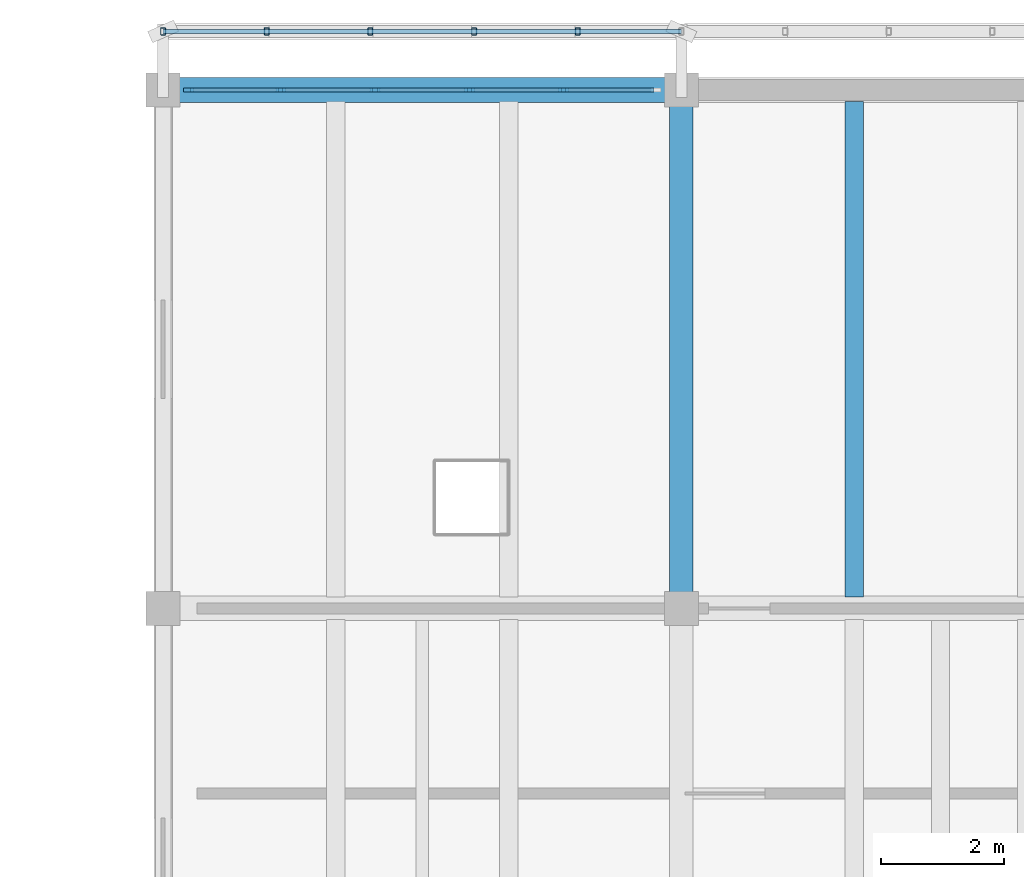
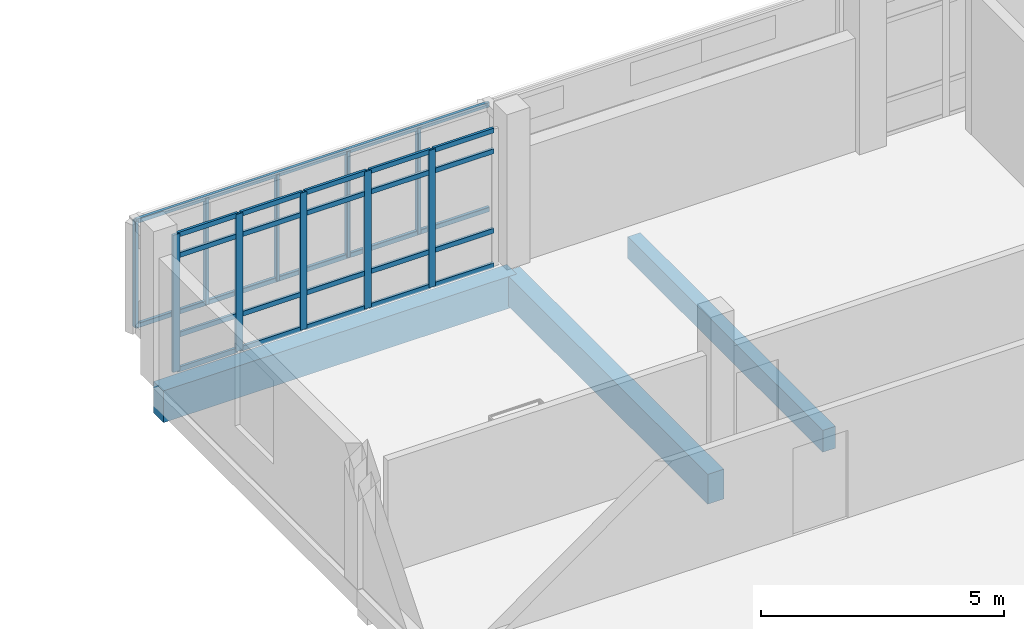
# One storey, part 46 of 117: 32 members, 3 beams, 1 element without a shape of its own.
"""IFC4 building model written with IfcOpenShell, lengths in metres."""

from ifc_helpers import new_model, si_unit, direction, frame, origin, origin_2d, place, context, subcontext, project, spatial, rectangle, hollow_rectangle, extrude, material, material_profile, profile_set, type_object, element, aggregate, save


model = new_model("IFC4")

# Units and contexts
model_context = context("Model", 3, precision=1e-05, world=origin(), true_north=direction((0.0, 1.0)))
body_context = subcontext(model_context, "Body", "Model", "MODEL_VIEW")
ifc_project = project(units=[si_unit("LENGTHUNIT", "METRE"), si_unit("AREAUNIT", "SQUARE_METRE"), si_unit("VOLUMEUNIT", "CUBIC_METRE"), si_unit("PLANEANGLEUNIT", "RADIAN"), si_unit("MASSUNIT", "GRAM", prefix="KILO")], contexts=[model_context])

# Site, building, storey
site_placement = place(None, origin())
site = spatial("IfcSite", under=ifc_project, at=site_placement, CompositionType="ELEMENT")
building_placement = place(site_placement, origin())
building = spatial("IfcBuilding", under=site, at=building_placement, Name="Cinderway Yard Community Centre", CompositionType="ELEMENT")
storey_placement = place(building_placement, frame((0.0, 0.0, 9.0)))
storey = spatial("IfcBuildingStorey", under=building, at=storey_placement, Name="L02", CompositionType="ELEMENT", Elevation=9.0)

# Curtain wall, members
ifc_material_1 = material(Name="Aluminium 6063-T6", Category="aluminium")
curtain_wall_type = type_object("IfcCurtainWallType", Name="ENV-CW-TYPE-29", PredefinedType="USERDEFINED", material=ifc_material_1)
curtain_wall_placement = place(storey_placement, origin())
curtain_wall = element("IfcCurtainWall", 1, at=curtain_wall_placement, inside=storey, type_object=curtain_wall_type, Name="V4 Street Curtain Wall ENV-CW-L02-ST-0142", ObjectType="GLAZED CURTAIN WALL", PredefinedType="USERDEFINED")
ifc_material_profile_1 = material_profile(ifc_material_1, rectangle(XDim=0.06005859375, YDim=0.159912109375, at=origin_2d()), Name="Aluminium 6063-T6")
ifc_profile_set_1 = profile_set([ifc_material_profile_1], Name="Aluminium 6063-T6")
member_type_1 = type_object("IfcMemberType", Name="ENV-CW-MULL-150", PredefinedType="MULLION", material=ifc_profile_set_1)
member_1_placement = place(storey_placement, frame((42.010009765625, 115.199951171875, 0.0), z_axis=(0.0, 0.0, 1.0), x_axis=(0.0, 1.0, 0.0)))
member_1 = element("IfcMember", 2, at=member_1_placement, type_object=member_type_1, Name="CW-29 mullion 1", PredefinedType="MULLION", context=body_context, shape_type="SweptSolid", body=[
    extrude(rectangle(XDim=0.06005859375, YDim=0.159912109375, at=origin_2d()), origin(), (0.0, 0.0, 1.0), 3.449951171875),
])
member_2_placement = place(storey_placement, frame((43.508056640625, 115.199951171875, 0.0), z_axis=(0.0, 0.0, 1.0), x_axis=(0.0, 1.0, 0.0)))
member_2 = element("IfcMember", 3, at=member_2_placement, type_object=member_type_1, Name="CW-29 mullion 2", PredefinedType="MULLION", context=body_context, shape_type="SweptSolid", body=[
    extrude(rectangle(XDim=0.06005859375, YDim=0.159912109375, at=origin_2d()), origin(), (0.0, 0.0, 1.0), 3.449951171875),
])
member_3_placement = place(storey_placement, frame((45.035888671875, 115.199951171875, 0.0), z_axis=(0.0, 0.0, 1.0), x_axis=(0.0, 1.0, 0.0)))
member_3 = element("IfcMember", 4, at=member_3_placement, type_object=member_type_1, Name="CW-29 mullion 3", PredefinedType="MULLION", context=body_context, shape_type="SweptSolid", body=[
    extrude(rectangle(XDim=0.06005859375, YDim=0.159912109375, at=origin_2d()), origin(), (0.0, 0.0, 1.0), 3.449951171875),
])
member_4_placement = place(storey_placement, frame((46.56396484375, 115.199951171875, 0.0), z_axis=(0.0, 0.0, 1.0), x_axis=(0.0, 1.0, 0.0)))
member_4 = element("IfcMember", 5, at=member_4_placement, type_object=member_type_1, Name="CW-29 mullion 4", PredefinedType="MULLION", context=body_context, shape_type="SweptSolid", body=[
    extrude(rectangle(XDim=0.06005859375, YDim=0.159912109375, at=origin_2d()), origin(), (0.0, 0.0, 1.0), 3.449951171875),
])
member_5_placement = place(storey_placement, frame((48.092041015625, 115.199951171875, 0.0), z_axis=(0.0, 0.0, 1.0), x_axis=(0.0, 1.0, 0.0)))
member_5 = element("IfcMember", 6, at=member_5_placement, type_object=member_type_1, Name="CW-29 mullion 5", PredefinedType="MULLION", context=body_context, shape_type="SweptSolid", body=[
    extrude(rectangle(XDim=0.06005859375, YDim=0.159912109375, at=origin_2d()), origin(), (0.0, 0.0, 1.0), 3.449951171875),
])
ifc_material_profile_2 = material_profile(ifc_material_1, rectangle(XDim=0.06005859375, YDim=0.1201171875, at=origin_2d()), Name="Aluminium 6063-T6")
ifc_profile_set_2 = profile_set([ifc_material_profile_2], Name="Aluminium 6063-T6")
member_type_2 = type_object("IfcMemberType", Name="ENV-CW-TRAN-110", PredefinedType="USERDEFINED", material=ifc_profile_set_2)
member_6_placement = place(storey_placement, frame((42.0400390625, 115.199951171875, 0.030029296875), z_axis=(1.0, 0.0, 0.0), x_axis=(0.0, 1.0, 0.0)))
member_6 = element("IfcMember", 7, at=member_6_placement, type_object=member_type_2, Name="CW-29 transom 1.1", ObjectType="TRANSOM", PredefinedType="USERDEFINED", context=body_context, shape_type="SweptSolid", body=[
    extrude(rectangle(XDim=0.06005859375, YDim=0.1201171875, at=origin_2d()), origin(), (0.0, 0.0, 1.0), 1.43798828125),
])
member_7_placement = place(storey_placement, frame((42.0400390625, 115.199951171875, 0.89990234375), z_axis=(1.0, 0.0, 0.0), x_axis=(0.0, 1.0, 0.0)))
member_7 = element("IfcMember", 8, at=member_7_placement, type_object=member_type_2, Name="CW-29 transom 1.2", ObjectType="TRANSOM", PredefinedType="USERDEFINED", context=body_context, shape_type="SweptSolid", body=[
    extrude(rectangle(XDim=0.06005859375, YDim=0.1201171875, at=origin_2d()), origin(), (0.0, 0.0, 1.0), 1.43798828125),
])
member_8_placement = place(storey_placement, frame((42.0400390625, 115.199951171875, 2.89990234375), z_axis=(1.0, 0.0, 0.0), x_axis=(0.0, 1.0, 0.0)))
member_8 = element("IfcMember", 9, at=member_8_placement, type_object=member_type_2, Name="CW-29 transom 1.3", ObjectType="TRANSOM", PredefinedType="USERDEFINED", context=body_context, shape_type="SweptSolid", body=[
    extrude(rectangle(XDim=0.06005859375, YDim=0.1201171875, at=origin_2d()), origin(), (0.0, 0.0, 1.0), 1.43798828125),
])
member_9_placement = place(storey_placement, frame((42.0400390625, 115.199951171875, 3.419921875), z_axis=(1.0, 0.0, 0.0), x_axis=(0.0, 1.0, 0.0)))
member_9 = element("IfcMember", 10, at=member_9_placement, type_object=member_type_2, Name="CW-29 transom 1.4", ObjectType="TRANSOM", PredefinedType="USERDEFINED", context=body_context, shape_type="SweptSolid", body=[
    extrude(rectangle(XDim=0.06005859375, YDim=0.1201171875, at=origin_2d()), origin(), (0.0, 0.0, 1.0), 1.43798828125),
])
member_10_placement = place(storey_placement, frame((43.5380859375, 115.199951171875, 0.030029296875), z_axis=(1.0, 0.0, 0.0), x_axis=(0.0, 1.0, 0.0)))
member_10 = element("IfcMember", 11, at=member_10_placement, type_object=member_type_2, Name="CW-29 transom 2.1", ObjectType="TRANSOM", PredefinedType="USERDEFINED", context=body_context, shape_type="SweptSolid", body=[
    extrude(rectangle(XDim=0.06005859375, YDim=0.1201171875, at=origin_2d()), origin(), (0.0, 0.0, 1.0), 1.468017578125),
])
member_11_placement = place(storey_placement, frame((43.5380859375, 115.199951171875, 0.89990234375), z_axis=(1.0, 0.0, 0.0), x_axis=(0.0, 1.0, 0.0)))
member_11 = element("IfcMember", 12, at=member_11_placement, type_object=member_type_2, Name="CW-29 transom 2.2", ObjectType="TRANSOM", PredefinedType="USERDEFINED", context=body_context, shape_type="SweptSolid", body=[
    extrude(rectangle(XDim=0.06005859375, YDim=0.1201171875, at=origin_2d()), origin(), (0.0, 0.0, 1.0), 1.468017578125),
])
member_12_placement = place(storey_placement, frame((43.5380859375, 115.199951171875, 2.89990234375), z_axis=(1.0, 0.0, 0.0), x_axis=(0.0, 1.0, 0.0)))
member_12 = element("IfcMember", 13, at=member_12_placement, type_object=member_type_2, Name="CW-29 transom 2.3", ObjectType="TRANSOM", PredefinedType="USERDEFINED", context=body_context, shape_type="SweptSolid", body=[
    extrude(rectangle(XDim=0.06005859375, YDim=0.1201171875, at=origin_2d()), origin(), (0.0, 0.0, 1.0), 1.468017578125),
])
member_13_placement = place(storey_placement, frame((43.5380859375, 115.199951171875, 3.419921875), z_axis=(1.0, 0.0, 0.0), x_axis=(0.0, 1.0, 0.0)))
member_13 = element("IfcMember", 14, at=member_13_placement, type_object=member_type_2, Name="CW-29 transom 2.4", ObjectType="TRANSOM", PredefinedType="USERDEFINED", context=body_context, shape_type="SweptSolid", body=[
    extrude(rectangle(XDim=0.06005859375, YDim=0.1201171875, at=origin_2d()), origin(), (0.0, 0.0, 1.0), 1.468017578125),
])
member_14_placement = place(storey_placement, frame((45.06591796875, 115.199951171875, 0.030029296875), z_axis=(1.0, 0.0, 0.0), x_axis=(0.0, 1.0, 0.0)))
member_14 = element("IfcMember", 15, at=member_14_placement, type_object=member_type_2, Name="CW-29 transom 3.1", ObjectType="TRANSOM", PredefinedType="USERDEFINED", context=body_context, shape_type="SweptSolid", body=[
    extrude(rectangle(XDim=0.06005859375, YDim=0.1201171875, at=origin_2d()), origin(), (0.0, 0.0, 1.0), 1.468017578125),
])
member_15_placement = place(storey_placement, frame((45.06591796875, 115.199951171875, 0.89990234375), z_axis=(1.0, 0.0, 0.0), x_axis=(0.0, 1.0, 0.0)))
member_15 = element("IfcMember", 16, at=member_15_placement, type_object=member_type_2, Name="CW-29 transom 3.2", ObjectType="TRANSOM", PredefinedType="USERDEFINED", context=body_context, shape_type="SweptSolid", body=[
    extrude(rectangle(XDim=0.06005859375, YDim=0.1201171875, at=origin_2d()), origin(), (0.0, 0.0, 1.0), 1.468017578125),
])
member_16_placement = place(storey_placement, frame((45.06591796875, 115.199951171875, 2.89990234375), z_axis=(1.0, 0.0, 0.0), x_axis=(0.0, 1.0, 0.0)))
member_16 = element("IfcMember", 17, at=member_16_placement, type_object=member_type_2, Name="CW-29 transom 3.3", ObjectType="TRANSOM", PredefinedType="USERDEFINED", context=body_context, shape_type="SweptSolid", body=[
    extrude(rectangle(XDim=0.06005859375, YDim=0.1201171875, at=origin_2d()), origin(), (0.0, 0.0, 1.0), 1.468017578125),
])
member_17_placement = place(storey_placement, frame((45.06591796875, 115.199951171875, 3.419921875), z_axis=(1.0, 0.0, 0.0), x_axis=(0.0, 1.0, 0.0)))
member_17 = element("IfcMember", 18, at=member_17_placement, type_object=member_type_2, Name="CW-29 transom 3.4", ObjectType="TRANSOM", PredefinedType="USERDEFINED", context=body_context, shape_type="SweptSolid", body=[
    extrude(rectangle(XDim=0.06005859375, YDim=0.1201171875, at=origin_2d()), origin(), (0.0, 0.0, 1.0), 1.468017578125),
])
member_18_placement = place(storey_placement, frame((46.593994140625, 115.199951171875, 0.030029296875), z_axis=(1.0, 0.0, 0.0), x_axis=(0.0, 1.0, 0.0)))
member_18 = element("IfcMember", 19, at=member_18_placement, type_object=member_type_2, Name="CW-29 transom 4.1", ObjectType="TRANSOM", PredefinedType="USERDEFINED", context=body_context, shape_type="SweptSolid", body=[
    extrude(rectangle(XDim=0.06005859375, YDim=0.1201171875, at=origin_2d()), origin(), (0.0, 0.0, 1.0), 1.468017578125),
])
member_19_placement = place(storey_placement, frame((46.593994140625, 115.199951171875, 0.89990234375), z_axis=(1.0, 0.0, 0.0), x_axis=(0.0, 1.0, 0.0)))
member_19 = element("IfcMember", 20, at=member_19_placement, type_object=member_type_2, Name="CW-29 transom 4.2", ObjectType="TRANSOM", PredefinedType="USERDEFINED", context=body_context, shape_type="SweptSolid", body=[
    extrude(rectangle(XDim=0.06005859375, YDim=0.1201171875, at=origin_2d()), origin(), (0.0, 0.0, 1.0), 1.468017578125),
])
member_20_placement = place(storey_placement, frame((46.593994140625, 115.199951171875, 2.89990234375), z_axis=(1.0, 0.0, 0.0), x_axis=(0.0, 1.0, 0.0)))
member_20 = element("IfcMember", 21, at=member_20_placement, type_object=member_type_2, Name="CW-29 transom 4.3", ObjectType="TRANSOM", PredefinedType="USERDEFINED", context=body_context, shape_type="SweptSolid", body=[
    extrude(rectangle(XDim=0.06005859375, YDim=0.1201171875, at=origin_2d()), origin(), (0.0, 0.0, 1.0), 1.468017578125),
])
member_21_placement = place(storey_placement, frame((46.593994140625, 115.199951171875, 3.419921875), z_axis=(1.0, 0.0, 0.0), x_axis=(0.0, 1.0, 0.0)))
member_21 = element("IfcMember", 22, at=member_21_placement, type_object=member_type_2, Name="CW-29 transom 4.4", ObjectType="TRANSOM", PredefinedType="USERDEFINED", context=body_context, shape_type="SweptSolid", body=[
    extrude(rectangle(XDim=0.06005859375, YDim=0.1201171875, at=origin_2d()), origin(), (0.0, 0.0, 1.0), 1.468017578125),
])
member_22_placement = place(storey_placement, frame((48.1220703125, 115.199951171875, 0.030029296875), z_axis=(1.0, 0.0, 0.0), x_axis=(0.0, 1.0, 0.0)))
member_22 = element("IfcMember", 23, at=member_22_placement, type_object=member_type_2, Name="CW-29 transom 5.1", ObjectType="TRANSOM", PredefinedType="USERDEFINED", context=body_context, shape_type="SweptSolid", body=[
    extrude(rectangle(XDim=0.06005859375, YDim=0.1201171875, at=origin_2d()), origin(), (0.0, 0.0, 1.0), 1.43798828125),
])
member_23_placement = place(storey_placement, frame((48.1220703125, 115.199951171875, 0.89990234375), z_axis=(1.0, 0.0, 0.0), x_axis=(0.0, 1.0, 0.0)))
member_23 = element("IfcMember", 24, at=member_23_placement, type_object=member_type_2, Name="CW-29 transom 5.2", ObjectType="TRANSOM", PredefinedType="USERDEFINED", context=body_context, shape_type="SweptSolid", body=[
    extrude(rectangle(XDim=0.06005859375, YDim=0.1201171875, at=origin_2d()), origin(), (0.0, 0.0, 1.0), 1.43798828125),
])
member_24_placement = place(storey_placement, frame((48.1220703125, 115.199951171875, 2.89990234375), z_axis=(1.0, 0.0, 0.0), x_axis=(0.0, 1.0, 0.0)))
member_24 = element("IfcMember", 25, at=member_24_placement, type_object=member_type_2, Name="CW-29 transom 5.3", ObjectType="TRANSOM", PredefinedType="USERDEFINED", context=body_context, shape_type="SweptSolid", body=[
    extrude(rectangle(XDim=0.06005859375, YDim=0.1201171875, at=origin_2d()), origin(), (0.0, 0.0, 1.0), 1.43798828125),
])
member_25_placement = place(storey_placement, frame((48.1220703125, 115.199951171875, 3.419921875), z_axis=(1.0, 0.0, 0.0), x_axis=(0.0, 1.0, 0.0)))
member_25 = element("IfcMember", 26, at=member_25_placement, type_object=member_type_2, Name="CW-29 transom 5.4", ObjectType="TRANSOM", PredefinedType="USERDEFINED", context=body_context, shape_type="SweptSolid", body=[
    extrude(rectangle(XDim=0.06005859375, YDim=0.1201171875, at=origin_2d()), origin(), (0.0, 0.0, 1.0), 1.43798828125),
])
aggregate(curtain_wall, [member_1, member_2, member_3, member_4, member_5, member_6, member_7, member_8, member_9, member_10, member_11, member_12, member_13, member_14, member_15, member_16, member_17, member_18, member_19, member_20, member_21, member_22, member_23, member_24, member_25])

# Members
ifc_material_2 = material(Name="Steel S355", Category="steel")
ifc_material_profile_3 = material_profile(ifc_material_2, hollow_rectangle(XDim=0.080078125, YDim=0.1201171875, WallThickness=0.00634765625, InnerFilletRadius=0.00634765625, OuterFilletRadius=0.0126953125, at=origin_2d()), Name="Steel S355")
ifc_profile_set_3 = profile_set([ifc_material_profile_3], Name="Steel S355")
member_type_3 = type_object("IfcMemberType", Name="ENV-MEM-SCREEN-RAIL-120", PredefinedType="STRINGER", material=ifc_profile_set_3)
for number, where, z_axis, x_axis, name in (
    (27, (41.60009765625, 116.14990234375, 0.7099609375), (1.0, 0.0, 0.0), (0.0, 1.0, 0.0), "Screen support rail 0098-BOT"),
    (28, (41.60009765625, 116.14990234375, 3.340087890625), (1.0, 0.0, 0.0), (0.0, 1.0, 0.0), "Screen support rail 0099-TOP"),
):
    element("IfcMember", number, at=place(storey_placement, frame(where, z_axis=z_axis, x_axis=x_axis)), inside=storey, type_object=member_type_3, Name=name, PredefinedType="STRINGER", context=body_context, shape_type="SweptSolid", body=[
        extrude(hollow_rectangle(XDim=0.080078125, YDim=0.1201171875, WallThickness=0.00634765625, InnerFilletRadius=0.00634765625, OuterFilletRadius=0.0126953125, at=origin_2d()), origin(), (0.0, 0.0, 1.0), 8.39990234375),
    ])
for number, where, z_axis, x_axis, name in (
    (29, (41.60009765625, 116.14990234375, 0.68994140625), (0.0, 0.0, 1.0), (1.0, 0.0, 0.0), "Screen vertical mullion 0100"),
    (30, (43.280029296875, 116.14990234375, 0.68994140625), (0.0, 0.0, 1.0), (1.0, 0.0, 0.0), "Screen vertical mullion 0101"),
    (31, (44.9599609375, 116.14990234375, 0.68994140625), (0.0, 0.0, 1.0), (1.0, 0.0, 0.0), "Screen vertical mullion 0102"),
    (32, (46.639892578125, 116.14990234375, 0.68994140625), (0.0, 0.0, 1.0), (1.0, 0.0, 0.0), "Screen vertical mullion 0103"),
    (33, (48.320068359375, 116.14990234375, 0.68994140625), (0.0, 0.0, 1.0), (1.0, 0.0, 0.0), "Screen vertical mullion 0104"),
):
    element("IfcMember", number, at=place(storey_placement, frame(where, z_axis=z_axis, x_axis=x_axis)), inside=storey, type_object=member_type_3, Name=name, PredefinedType="STRINGER", context=body_context, shape_type="SweptSolid", body=[
        extrude(hollow_rectangle(XDim=0.080078125, YDim=0.1201171875, WallThickness=0.00634765625, InnerFilletRadius=0.00634765625, OuterFilletRadius=0.0126953125, at=origin_2d()), origin(), (0.0, 0.0, 1.0), 2.670166015625),
    ])

# Beams
ifc_material_3 = material(Name="Concrete C35/45", Category="concrete")
ifc_material_profile_4 = material_profile(ifc_material_3, rectangle(XDim=0.300048828125, YDim=0.550048828125, at=origin_2d()), Name="Concrete C35/45")
ifc_profile_set_4 = profile_set([ifc_material_profile_4], Name="Concrete C35/45")
beam_type_1 = type_object("IfcBeamType", Name="STR-BM-RC300X550", PredefinedType="JOIST", material=ifc_profile_set_4)
beam_1_placement = place(storey_placement, frame((52.800048828125, 106.98193359375, -0.514892578125), z_axis=(0.0, 1.0, 0.0), x_axis=(-1.0, 0.0, 0.0)))
element("IfcBeam", 34, at=beam_1_placement, inside=storey, type_object=beam_type_1, Name="Secondary joist STR-BM-L02-BJ03-0593", PredefinedType="JOIST", context=body_context, shape_type="SweptSolid", body=[
    extrude(rectangle(XDim=0.300048828125, YDim=0.550048828125, at=origin_2d()), origin(), (0.0, 0.0, 1.0), 8.0361328125),
])
ifc_material_profile_5 = material_profile(ifc_material_3, rectangle(XDim=0.3798828125, YDim=0.75, at=origin_2d()), Name="Concrete C35/45")
ifc_profile_set_5 = profile_set([ifc_material_profile_5], Name="Concrete C35/45")
beam_type_2 = type_object("IfcBeamType", Name="STR-BM-RC380X750", PredefinedType="BEAM", material=ifc_profile_set_5)
beam_2_placement = place(storey_placement, frame((50.0, 106.800048828125, -0.614990234375), z_axis=(0.0, 1.0, 0.0), x_axis=(-1.0, 0.0, 0.0)))
element("IfcBeam", 35, at=beam_2_placement, inside=storey, type_object=beam_type_2, Name="Transverse girder STR-BM-L02-BG06-0549", PredefinedType="BEAM", context=body_context, shape_type="SweptSolid", body=[
    extrude(rectangle(XDim=0.3798828125, YDim=0.75, at=origin_2d()), origin(), (0.0, 0.0, 1.0), 8.39990234375),
])
ifc_material_4 = material(Name="Concrete C40/50", Category="concrete")
ifc_material_profile_6 = material_profile(ifc_material_4, rectangle(XDim=0.39990234375, YDim=0.800048828125, at=origin_2d()), Name="Concrete C40/50")
ifc_profile_set_6 = profile_set([ifc_material_profile_6], Name="Concrete C40/50")
beam_type_3 = type_object("IfcBeamType", Name="STR-BM-RC400X800", PredefinedType="BEAM", material=ifc_profile_set_6)
beam_3_placement = place(storey_placement, frame((41.60009765625, 115.199951171875, -0.639892578125), z_axis=(1.0, 0.0, 0.0), x_axis=(0.0, 1.0, 0.0)))
element("IfcBeam", 36, at=beam_3_placement, inside=storey, type_object=beam_type_3, Name="Primary girder STR-BM-L02-BG05-0532", PredefinedType="BEAM", context=body_context, shape_type="SweptSolid", body=[
    extrude(rectangle(XDim=0.39990234375, YDim=0.800048828125, at=origin_2d()), origin(), (0.0, 0.0, 1.0), 8.39990234375),
])

save(model, "model.ifc")
